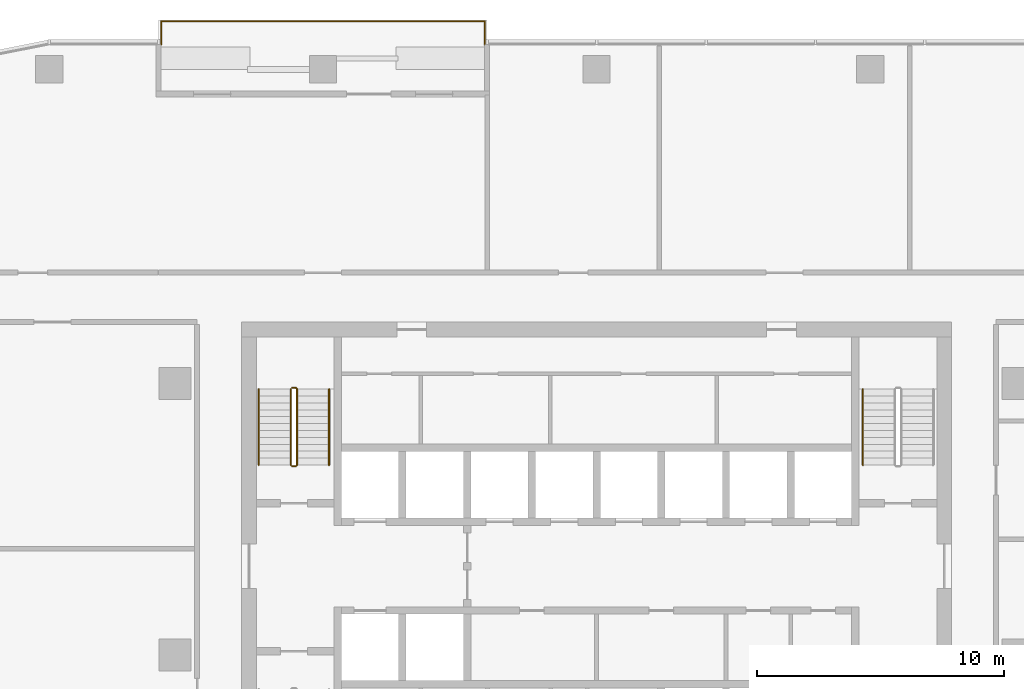
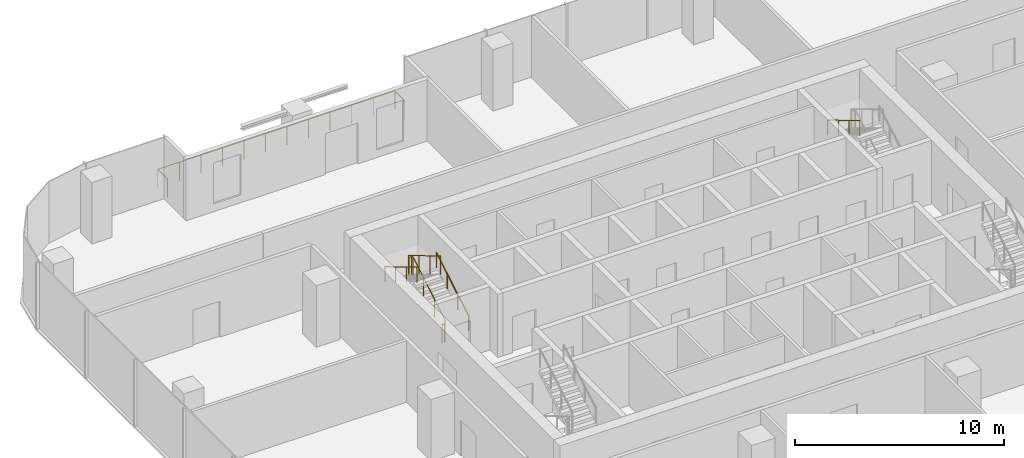
# One storey, part 13 of 14: 7 railings.
"""IFC4 building model written with IfcOpenShell, lengths in metres."""

from ifc_helpers import new_model, si_unit, direction, frame, origin, origin_2d, place, context, subcontext, project, spatial, circle, extrude, material, type_object, element, save


model = new_model("IFC4")

# Units and contexts
model_context = context("Model", 3, precision=1e-05, world=origin(), true_north=direction((0.0, 1.0)))
body_context = subcontext(model_context, "Body", "Model", "MODEL_VIEW")
ifc_project = project(units=[si_unit("LENGTHUNIT", "METRE"), si_unit("AREAUNIT", "SQUARE_METRE"), si_unit("VOLUMEUNIT", "CUBIC_METRE"), si_unit("PLANEANGLEUNIT", "RADIAN"), si_unit("MASSUNIT", "GRAM", prefix="KILO")], contexts=[model_context])

# Site, building, storey
site_placement = place(None, origin())
site = spatial("IfcSite", under=ifc_project, at=site_placement, CompositionType="ELEMENT")
building_placement = place(site_placement, origin())
building = spatial("IfcBuilding", under=site, at=building_placement, Name="Mopane Tessera Tower", CompositionType="ELEMENT")
storey_placement = place(building_placement, frame((0.0, 0.0, 215.0)))
storey = spatial("IfcBuildingStorey", under=building, at=storey_placement, Name="L45", CompositionType="ELEMENT", Elevation=215.0)

# Railings
ifc_material_1 = material(Name="Powder-coated steel balustrade", Category="steel")
railing_type_1 = type_object("IfcRailingType", Name="Escape stair guard 1100 mm", PredefinedType="GUARDRAIL", material=ifc_material_1)
railing_1_placement = place(storey_placement, frame((-12.14990234375, 7.699951171875, 0.166748046875)))
element("IfcRailing", 1, at=railing_1_placement, inside=storey, type_object=railing_type_1, Name="L45 ST2 stair guard 1", PredefinedType="GUARDRAIL", context=body_context, shape_type="SweptSolid", body=[
    extrude(circle(Radius=0.02392578125, at=origin_2d()), frame((0.0, 0.0, 1.076171875), z_axis=(0.0, 0.859308565015, 0.511457515432), x_axis=(-1.0, 0.0, 0.0)), (0.0, 0.0, 1.0), 3.58447265625),
    extrude(circle(Radius=0.02392578125, at=origin_2d()), frame((0.0, 3.080078125, 2.9091796875), z_axis=(-0.707106781187, 0.707106781187, 0.0), x_axis=(-0.707106781187, -0.707106781187, 0.0)), (0.0, 0.0, 1.0), 0.07080078125),
    extrude(circle(Radius=0.02392578125, at=origin_2d()), frame((-0.050048828125, 3.130126953125, 2.9091796875), z_axis=(-1.0, 0.0, 0.0), x_axis=(0.0, -1.0, 0.0)), (0.0, 0.0, 1.0), 0.150146484375),
    extrude(circle(Radius=0.02099609375, at=origin_2d()), origin(), (0.0, 0.0, 1.0), 1.052001953125),
    extrude(circle(Radius=0.02099609375, at=origin_2d()), frame((0.0, 1.026611328125, 0.611083984375)), (0.0, 0.0, 1.0), 1.052001953125),
    extrude(circle(Radius=0.02099609375, at=origin_2d()), frame((0.0, 2.053466796875, 1.22216796875)), (0.0, 0.0, 1.0), 1.052001953125),
    extrude(circle(Radius=0.02099609375, at=origin_2d()), frame((0.0, 3.080078125, 1.833251953125)), (0.0, 0.0, 1.0), 1.052001953125),
    extrude(circle(Radius=0.02099609375, at=origin_2d()), frame((-0.050048828125, 3.130126953125, 1.833251953125)), (0.0, 0.0, 1.0), 1.052001953125),
    extrude(circle(Radius=0.02099609375, at=origin_2d()), frame((-0.2001953125, 3.130126953125, 1.833251953125)), (0.0, 0.0, 1.0), 1.052001953125),
])
railing_2_placement = place(storey_placement, frame((-12.39990234375, 10.780029296875, 2.166748046875)))
element("IfcRailing", 2, at=railing_2_placement, inside=storey, type_object=railing_type_1, Name="L45 ST2 stair guard 2", PredefinedType="GUARDRAIL", context=body_context, shape_type="SweptSolid", body=[
    extrude(circle(Radius=0.02392578125, at=origin_2d()), frame((0.0, 0.0, 1.076171875), z_axis=(0.0, -0.859308565015, 0.511457515432), x_axis=(1.0, 0.0, 0.0)), (0.0, 0.0, 1.0), 3.58447265625),
    extrude(circle(Radius=0.02099609375, at=origin_2d()), origin(), (0.0, 0.0, 1.0), 1.052001953125),
    extrude(circle(Radius=0.02099609375, at=origin_2d()), frame((0.0, -1.026611328125, 0.611083984375)), (0.0, 0.0, 1.0), 1.052001953125),
    extrude(circle(Radius=0.02099609375, at=origin_2d()), frame((0.0, -2.053466796875, 1.22216796875)), (0.0, 0.0, 1.0), 1.052001953125),
    extrude(circle(Radius=0.02099609375, at=origin_2d()), frame((0.0, -3.080078125, 1.833251953125)), (0.0, 0.0, 1.0), 1.052001953125),
])
railing_3_placement = place(storey_placement, frame((-12.199951171875, 7.64990234375, 0.0)))
element("IfcRailing", 3, at=railing_3_placement, inside=storey, type_object=railing_type_1, Name="L45 ST2 stair guard 3", PredefinedType="GUARDRAIL", context=body_context, shape_type="SweptSolid", body=[
    extrude(circle(Radius=0.02392578125, at=origin_2d()), frame((0.0, 0.0, 1.076171875), z_axis=(-1.0, 0.0, 0.0), x_axis=(0.0, -1.0, 0.0)), (0.0, 0.0, 1.0), 0.150146484375),
    extrude(circle(Radius=0.02099609375, at=origin_2d()), origin(), (0.0, 0.0, 1.0), 1.052001953125),
    extrude(circle(Radius=0.02099609375, at=origin_2d()), frame((-0.150146484375, 0.0, 0.0)), (0.0, 0.0, 1.0), 1.052001953125),
])
ifc_material_2 = material(Name="Powder-coated steel balustrade", Category="steel")
railing_type_2 = type_object("IfcRailingType", Name="Escape stair handrail 900 mm", PredefinedType="HANDRAIL", material=ifc_material_2)
railing_4_placement = place(storey_placement, frame((-10.85009765625, 7.699951171875, 0.166748046875)))
element("IfcRailing", 4, at=railing_4_placement, inside=storey, type_object=railing_type_2, Name="L45 ST2 stair handrail 1", PredefinedType="HANDRAIL", context=body_context, shape_type="SweptSolid", body=[
    extrude(circle(Radius=0.02392578125, at=origin_2d()), frame((0.0, 0.0, 0.8759765625), z_axis=(0.0, 0.859308565015, 0.511457515432), x_axis=(-1.0, 0.0, 0.0)), (0.0, 0.0, 1.0), 3.58447265625),
    extrude(circle(Radius=0.02099609375, at=origin_2d()), origin(), (0.0, 0.0, 1.0), 0.851806640625),
    extrude(circle(Radius=0.02099609375, at=origin_2d()), frame((0.0, 1.026611328125, 0.611083984375)), (0.0, 0.0, 1.0), 0.851806640625),
    extrude(circle(Radius=0.02099609375, at=origin_2d()), frame((0.0, 2.053466796875, 1.22216796875)), (0.0, 0.0, 1.0), 0.851806640625),
    extrude(circle(Radius=0.02099609375, at=origin_2d()), frame((0.0, 3.080078125, 1.833251953125)), (0.0, 0.0, 1.0), 0.851806640625),
])
for number, where, name in (
    (5, (-13.699951171875, 10.780029296875, 2.166748046875), "L45 ST2 stair handrail 2"),
    (6, (10.800048828125, 10.780029296875, 2.166748046875), "L45 ST4 stair handrail 2"),
):
    element("IfcRailing", number, at=place(storey_placement, frame(where)), inside=storey, type_object=railing_type_2, Name=name, PredefinedType="HANDRAIL", context=body_context, shape_type="SweptSolid", body=[
        extrude(circle(Radius=0.02392578125, at=origin_2d()), frame((0.0, 0.0, 0.8759765625), z_axis=(0.0, -0.859308565015, 0.511457515432), x_axis=(1.0, 0.0, 0.0)), (0.0, 0.0, 1.0), 3.58447265625),
        extrude(circle(Radius=0.02099609375, at=origin_2d()), origin(), (0.0, 0.0, 1.0), 0.851806640625),
        extrude(circle(Radius=0.02099609375, at=origin_2d()), frame((0.0, -1.026611328125, 0.611083984375)), (0.0, 0.0, 1.0), 0.851806640625),
        extrude(circle(Radius=0.02099609375, at=origin_2d()), frame((0.0, -2.053466796875, 1.22216796875)), (0.0, 0.0, 1.0), 0.851806640625),
        extrude(circle(Radius=0.02099609375, at=origin_2d()), frame((0.0, -3.080078125, 1.833251953125)), (0.0, 0.0, 1.0), 0.851806640625),
    ])
ifc_material_3 = material(Name="Stainless steel S316", Category="steel")
railing_type_3 = type_object("IfcRailingType", Name="Terrace guard 1100", PredefinedType="GUARDRAIL", material=ifc_material_3)
railing_5_placement = place(storey_placement, frame((-4.5400390625, 24.75, 0.0)))
element("IfcRailing", 7, at=railing_5_placement, inside=storey, type_object=railing_type_3, Name="e:nw:L45:N3:guard", PredefinedType="GUARDRAIL", context=body_context, shape_type="SweptSolid", body=[
    extrude(circle(Radius=0.02392578125, at=origin_2d()), frame((0.0, 0.0, 1.076171875), z_axis=(0.0, 1.0, 0.0), x_axis=(-1.0, 0.0, 0.0)), (0.0, 0.0, 1.0), 0.949951171875),
    extrude(circle(Radius=0.02392578125, at=origin_2d()), frame((0.0, 0.949951171875, 1.076171875), z_axis=(-1.0, 0.0, 0.0), x_axis=(0.0, -1.0, 0.0)), (0.0, 0.0, 1.0), 13.119873046875),
    extrude(circle(Radius=0.02392578125, at=origin_2d()), frame((-13.119873046875, 0.949951171875, 1.076171875), z_axis=(0.0, -1.0, 0.0), x_axis=(1.0, 0.0, 0.0)), (0.0, 0.0, 1.0), 0.949951171875),
    extrude(circle(Radius=0.02099609375, at=origin_2d()), origin(), (0.0, 0.0, 1.0), 1.052001953125),
    extrude(circle(Radius=0.02099609375, at=origin_2d()), frame((0.0, 0.949951171875, 0.0)), (0.0, 0.0, 1.0), 1.052001953125),
    extrude(circle(Radius=0.02099609375, at=origin_2d()), frame((-1.192626953125, 0.949951171875, 0.0)), (0.0, 0.0, 1.0), 1.052001953125),
    extrude(circle(Radius=0.02099609375, at=origin_2d()), frame((-2.385498046875, 0.949951171875, 0.0)), (0.0, 0.0, 1.0), 1.052001953125),
    extrude(circle(Radius=0.02099609375, at=origin_2d()), frame((-3.578125, 0.949951171875, 0.0)), (0.0, 0.0, 1.0), 1.052001953125),
    extrude(circle(Radius=0.02099609375, at=origin_2d()), frame((-4.770751953125, 0.949951171875, 0.0)), (0.0, 0.0, 1.0), 1.052001953125),
    extrude(circle(Radius=0.02099609375, at=origin_2d()), frame((-5.963623046875, 0.949951171875, 0.0)), (0.0, 0.0, 1.0), 1.052001953125),
    extrude(circle(Radius=0.02099609375, at=origin_2d()), frame((-7.15625, 0.949951171875, 0.0)), (0.0, 0.0, 1.0), 1.052001953125),
    extrude(circle(Radius=0.02099609375, at=origin_2d()), frame((-8.34912109375, 0.949951171875, 0.0)), (0.0, 0.0, 1.0), 1.052001953125),
    extrude(circle(Radius=0.02099609375, at=origin_2d()), frame((-9.541748046875, 0.949951171875, 0.0)), (0.0, 0.0, 1.0), 1.052001953125),
    extrude(circle(Radius=0.02099609375, at=origin_2d()), frame((-10.734375, 0.949951171875, 0.0)), (0.0, 0.0, 1.0), 1.052001953125),
    extrude(circle(Radius=0.02099609375, at=origin_2d()), frame((-11.92724609375, 0.949951171875, 0.0)), (0.0, 0.0, 1.0), 1.052001953125),
    extrude(circle(Radius=0.02099609375, at=origin_2d()), frame((-13.119873046875, 0.949951171875, 0.0)), (0.0, 0.0, 1.0), 1.052001953125),
    extrude(circle(Radius=0.02099609375, at=origin_2d()), frame((-13.119873046875, 0.0, 0.0)), (0.0, 0.0, 1.0), 1.052001953125),
])

save(model, "model.ifc")
